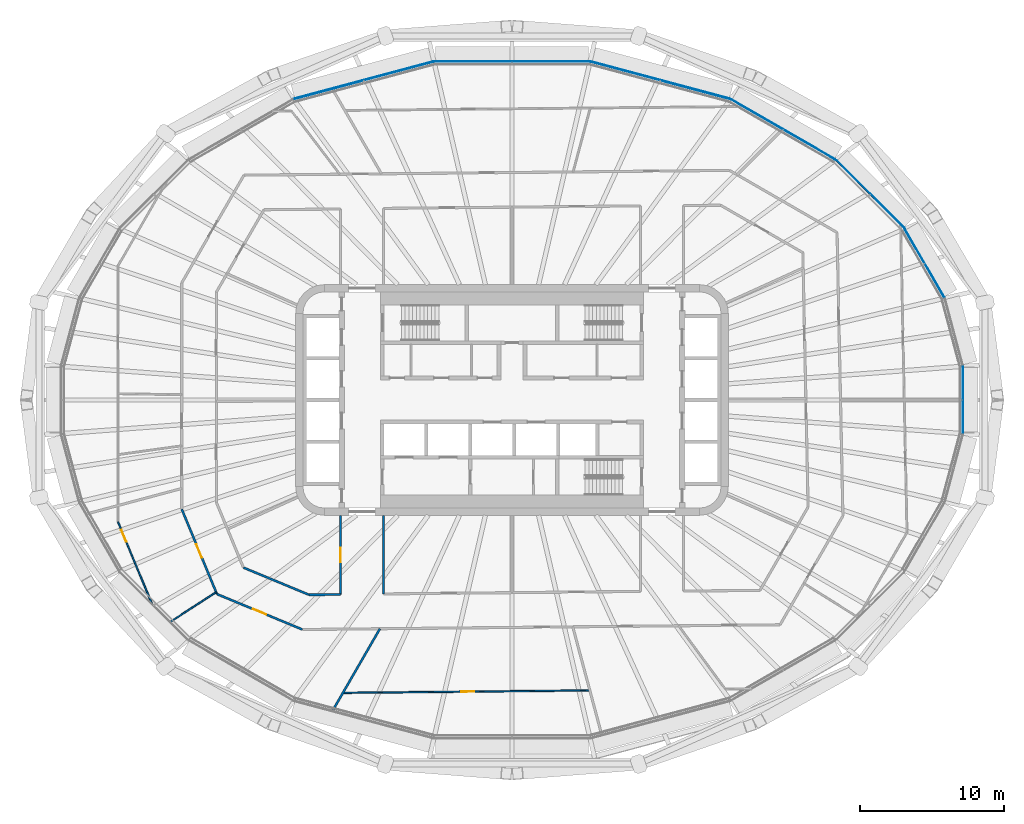
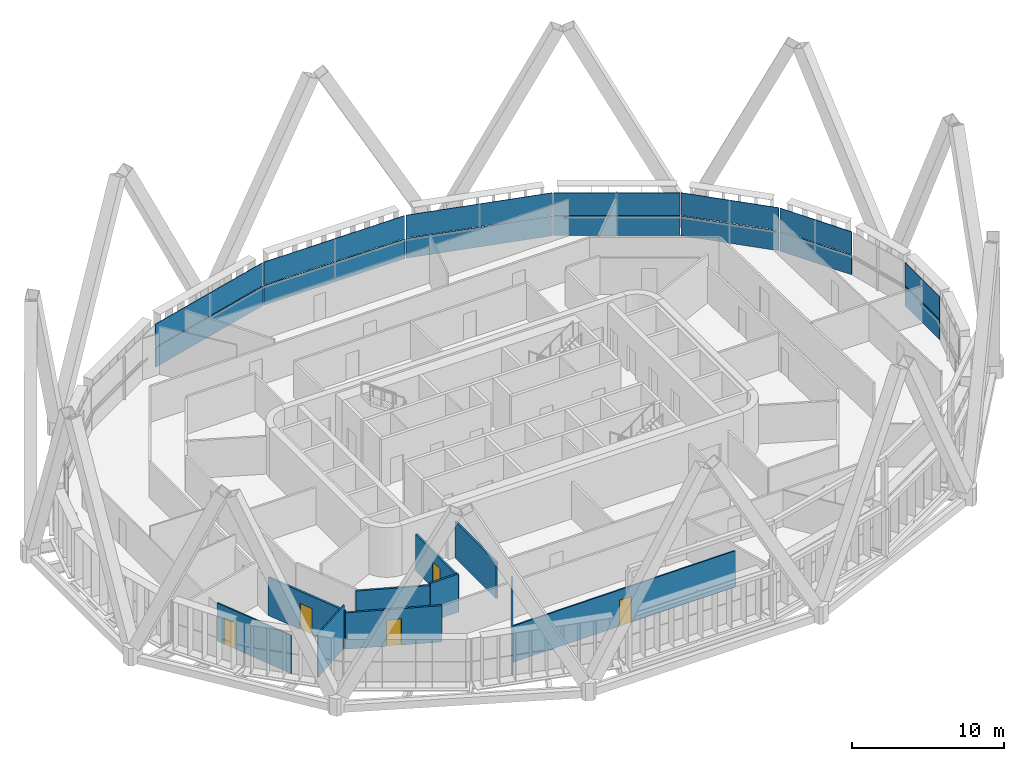
# One storey, part 13 of 25: 14 plates, 10 walls, 5 doors, 5 openings, 7 elements without a shape of their own.
"""IFC4 building model written with IfcOpenShell, lengths in metres."""

from ifc_helpers import new_model, si_unit, direction, frame, frame_2d, origin, place, context, subcontext, project, spatial, polyline, rectangle, outline, extrude, material, layer, layer_set, type_object, element, fill, aggregate, save


model = new_model("IFC4")

# Units and contexts
model_context = context("Model", 3, precision=1e-05, world=origin(), true_north=direction((0.0, 1.0)))
body_context = subcontext(model_context, "Body", "Model", "MODEL_VIEW")
ifc_project = project(units=[si_unit("LENGTHUNIT", "METRE"), si_unit("AREAUNIT", "SQUARE_METRE"), si_unit("VOLUMEUNIT", "CUBIC_METRE"), si_unit("PLANEANGLEUNIT", "RADIAN"), si_unit("MASSUNIT", "GRAM", prefix="KILO")], contexts=[model_context])

# Site, building, storey
site_placement = place(None, origin())
site = spatial("IfcSite", under=ifc_project, at=site_placement, CompositionType="ELEMENT")
building_placement = place(site_placement, origin())
building = spatial("IfcBuilding", under=site, at=building_placement, Name="Sahrelin Media Tower", CompositionType="ELEMENT")
storey_placement = place(building_placement, frame((0.0, 0.0, 165.60009765625)))
storey = spatial("IfcBuildingStorey", under=building, at=storey_placement, Name="L34", CompositionType="ELEMENT", Elevation=165.60009765625)

# Curtain wall, plate
ifc_material_1 = material(Name="Champagne anodised aluminium 6063-T6", Category="aluminium")
ifc_layer_1 = layer(ifc_material_1, 0.14990234375)
ifc_layer_set_1 = layer_set([ifc_layer_1], Name="Tower ribbon curtain wall")
curtain_wall_type = type_object("IfcCurtainWallType", Name="Tower ribbon curtain wall", PredefinedType="NOTDEFINED", material=ifc_layer_set_1)
curtain_wall_1_placement = place(storey_placement, frame((31.2841796875, 0.0, 0.0), z_axis=(0.0, 0.0, 1.0), x_axis=(1.0, 0.0, 0.0)))
curtain_wall_1 = element("IfcCurtainWall", 1, at=curtain_wall_1_placement, inside=storey, type_object=curtain_wall_type, Name="L34:CW:L34-00", PredefinedType="NOTDEFINED")
ifc_material_2 = material(Name="Clear low-iron glazing", Category="glass")
ifc_layer_2 = layer(ifc_material_2, 0.0439453125)
ifc_layer_set_2 = layer_set([ifc_layer_2], Name="Glazing panel 44 mm CW1B")
plate_type_1 = type_object("IfcPlateType", Name="Glazing panel 44 mm CW1B", PredefinedType="CURTAIN_PANEL", material=ifc_layer_set_2)
plate_1_placement = place(storey_placement, frame((31.30419921875, -2.28759765625, 1.6298828125), z_axis=(1.0, 0.0, 0.0), x_axis=(0.0, 1.0, 0.0)))
plate_1 = element("IfcPlate", 2, at=plate_1_placement, type_object=plate_type_1, Name="L34:CWP2:L34-00", PredefinedType="CURTAIN_PANEL", context=body_context, shape_type="SweptSolid", body=[
    extrude(outline(polyline([(0.0, 0.0), (4.5751953125, 0.0), (4.5751953125, 1.818603515625), (0.0, 1.818603515625), (0.0, 0.0)])), origin(), (0.0, 0.0, -1.0), 0.0439453125),
])

curtain_wall_2_placement = place(storey_placement, frame((28.6279296875, 9.4697265625, 0.0), z_axis=(0.0, 0.0, 1.0), x_axis=(1.0, 0.0, 0.0)))
curtain_wall_2 = element("IfcCurtainWall", 3, at=curtain_wall_2_placement, inside=storey, type_object=curtain_wall_type, Name="L34:CW:L34-02", PredefinedType="NOTDEFINED")
plate_2_placement = place(storey_placement, frame((30.010986328125, 7.114013671875, 1.6298828125), z_axis=(0.866026336773, 0.499998384012, 0.0), x_axis=(-0.499998384012, 0.866026336773, 0.0)))
plate_2 = element("IfcPlate", 4, at=plate_2_placement, type_object=plate_type_1, Name="L34:CWP2:L34-02", PredefinedType="CURTAIN_PANEL", context=body_context, shape_type="SweptSolid", body=[
    extrude(outline(polyline([(0.0, 0.0), (5.46337890625, 0.0), (5.46337890625, 1.818603515625), (0.0, 1.818603515625), (0.0, 0.0)])), origin(), (0.0, 0.0, -1.0), 0.0439453125),
])

curtain_wall_3_placement = place(storey_placement, frame((24.847412109375, 14.268310546875, 0.0), z_axis=(0.0, 0.0, 1.0), x_axis=(1.0, 0.0, 0.0)))
curtain_wall_3 = element("IfcCurtainWall", 5, at=curtain_wall_3_placement, inside=storey, type_object=curtain_wall_type, Name="L34:CW:L34-03", PredefinedType="NOTDEFINED")
plate_3_placement = place(storey_placement, frame((27.2158203125, 11.92822265625, 1.6298828125), z_axis=(0.707106781187, 0.707106781187, 0.0), x_axis=(-0.707106781187, 0.707106781187, 0.0)))
plate_3 = element("IfcPlate", 6, at=plate_3_placement, type_object=plate_type_1, Name="L34:CWP2:L34-03", PredefinedType="CURTAIN_PANEL", context=body_context, shape_type="SweptSolid", body=[
    extrude(outline(polyline([(0.0, 0.0), (6.658447265625, 0.0), (6.658447265625, 1.818603515625), (0.0, 1.818603515625), (0.0, 0.0)])), origin(), (0.0, 0.0, -1.0), 0.0439453125),
])

curtain_wall_4_placement = place(storey_placement, frame((18.811279296875, 18.76318359375, 0.0), z_axis=(0.0, 0.0, 1.0), x_axis=(1.0, 0.0, 0.0)))
curtain_wall_4 = element("IfcCurtainWall", 7, at=curtain_wall_4_placement, inside=storey, type_object=curtain_wall_type, Name="L34:CW:L34-04", PredefinedType="NOTDEFINED")
plate_4_placement = place(storey_placement, frame((22.4248046875, 16.699951171875, 1.6298828125), z_axis=(0.500000939553, 0.866024861332, 0.0), x_axis=(-0.866024861332, 0.500000939553, 0.0)))
plate_4 = element("IfcPlate", 8, at=plate_4_placement, type_object=plate_type_1, Name="L34:CWP2:L34-04", PredefinedType="CURTAIN_PANEL", context=body_context, shape_type="SweptSolid", body=[
    extrude(outline(polyline([(0.0, 0.0), (8.322265625, 0.0), (8.322265625, 1.818603515625), (0.0, 1.818603515625), (0.0, 0.0)])), origin(), (0.0, 0.0, -1.0), 0.0439453125),
])

curtain_wall_5_placement = place(storey_placement, frame((10.29052734375, 22.1748046875, 0.0), z_axis=(0.0, 0.0, 1.0), x_axis=(1.0, 0.0, 0.0)))
curtain_wall_5 = element("IfcCurtainWall", 9, at=curtain_wall_5_placement, inside=storey, type_object=curtain_wall_type, Name="L34:CW:L34-05", PredefinedType="NOTDEFINED")
plate_5_placement = place(storey_placement, frame((15.12109375, 20.901123046875, 1.6298828125), z_axis=(0.258818325201, 0.965926019186, 0.0), x_axis=(-0.965926019186, 0.258818325201, 0.0)))
plate_5 = element("IfcPlate", 10, at=plate_5_placement, type_object=plate_type_1, Name="L34:CWP2:L34-05", PredefinedType="CURTAIN_PANEL", context=body_context, shape_type="SweptSolid", body=[
    extrude(outline(polyline([(0.0, 0.0), (9.9912109375, 0.0), (9.9912109375, 1.818603515625), (0.0, 1.818603515625), (0.0, 0.0)])), origin(), (0.0, 0.0, -1.0), 0.0439453125),
])

curtain_wall_6_placement = place(storey_placement, frame((0.0, 23.480712890625, 0.0), z_axis=(0.0, 0.0, 1.0), x_axis=(1.0, 0.0, 0.0)))
curtain_wall_6 = element("IfcCurtainWall", 11, at=curtain_wall_6_placement, inside=storey, type_object=curtain_wall_type, Name="L34:CW:L34-06", PredefinedType="NOTDEFINED")
plate_6_placement = place(storey_placement, frame((5.36669921875, 23.50048828125, 1.6298828125), z_axis=(0.0, 1.0, 0.0), x_axis=(-1.0, 0.0, 0.0)))
plate_6 = element("IfcPlate", 12, at=plate_6_placement, type_object=plate_type_1, Name="L34:CWP2:L34-06", PredefinedType="CURTAIN_PANEL", context=body_context, shape_type="SweptSolid", body=[
    extrude(outline(polyline([(0.0, 0.0), (10.7333984375, 0.0), (10.7333984375, 1.818603515625), (0.0, 1.818603515625), (0.0, 0.0)])), origin(), (0.0, 0.0, -1.0), 0.0439453125),
])

curtain_wall_7_placement = place(storey_placement, frame((-10.29052734375, 22.1748046875, 0.0), z_axis=(0.0, 0.0, 1.0), x_axis=(1.0, 0.0, 0.0)))
curtain_wall_7 = element("IfcCurtainWall", 13, at=curtain_wall_7_placement, inside=storey, type_object=curtain_wall_type, Name="L34:CW:L34-07", PredefinedType="NOTDEFINED")
plate_7_placement = place(storey_placement, frame((-5.47021484375, 23.487060546875, 1.6298828125), z_axis=(-0.258818325201, 0.965926019186, 0.0), x_axis=(-0.965926019186, -0.258818325201, 0.0)))
plate_7 = element("IfcPlate", 14, at=plate_7_placement, type_object=plate_type_1, Name="L34:CWP2:L34-07", PredefinedType="CURTAIN_PANEL", context=body_context, shape_type="SweptSolid", body=[
    extrude(outline(polyline([(0.0, 0.0), (9.9912109375, 0.0), (9.9912109375, 1.818603515625), (0.0, 1.818603515625), (0.0, 0.0)])), origin(), (0.0, 0.0, -1.0), 0.0439453125),
])

# Plate
ifc_material_3 = material(Name="Insulated spandrel panel")
ifc_layer_3 = layer(ifc_material_3, 0.06005859375)
ifc_layer_set_3 = layer_set([ifc_layer_3], Name="Spandrel panel 60 mm CW1")
plate_type_2 = type_object("IfcPlateType", Name="Spandrel panel 60 mm CW1", PredefinedType="SHEET", material=ifc_layer_set_3)
plate_8_placement = place(storey_placement, frame((31.30419921875, -2.28759765625, 0.0), z_axis=(1.0, 0.0, 0.0), x_axis=(0.0, 1.0, 0.0)))
plate_8 = element("IfcPlate", 15, at=plate_8_placement, type_object=plate_type_2, Name="L34:CWP1:L34-00", PredefinedType="SHEET", context=body_context, shape_type="SweptSolid", body=[
    extrude(outline(polyline([(0.0, 0.0), (4.5751953125, 0.0), (4.5751953125, 1.56982421875), (0.0, 1.56982421875), (0.0, 0.0)])), origin(), (0.0, 0.0, -1.0), 0.06005859375),
])

aggregate(curtain_wall_1, [plate_8, plate_1])

plate_9_placement = place(storey_placement, frame((30.010986328125, 7.114013671875, 0.0), z_axis=(0.866026336773, 0.499998384012, 0.0), x_axis=(-0.499998384012, 0.866026336773, 0.0)))
plate_9 = element("IfcPlate", 16, at=plate_9_placement, type_object=plate_type_2, Name="L34:CWP1:L34-02", PredefinedType="SHEET", context=body_context, shape_type="SweptSolid", body=[
    extrude(outline(polyline([(0.0, 0.0), (5.46337890625, 0.0), (5.46337890625, 1.56982421875), (0.0, 1.56982421875), (0.0, 0.0)])), origin(), (0.0, 0.0, -1.0), 0.06005859375),
])

aggregate(curtain_wall_2, [plate_9, plate_2])

plate_10_placement = place(storey_placement, frame((27.2158203125, 11.92822265625, 0.0), z_axis=(0.707106781187, 0.707106781187, 0.0), x_axis=(-0.707106781187, 0.707106781187, 0.0)))
plate_10 = element("IfcPlate", 17, at=plate_10_placement, type_object=plate_type_2, Name="L34:CWP1:L34-03", PredefinedType="SHEET", context=body_context, shape_type="SweptSolid", body=[
    extrude(outline(polyline([(0.0, 0.0), (6.658447265625, 0.0), (6.658447265625, 1.56982421875), (0.0, 1.56982421875), (0.0, 0.0)])), origin(), (0.0, 0.0, -1.0), 0.06005859375),
])

aggregate(curtain_wall_3, [plate_10, plate_3])

plate_11_placement = place(storey_placement, frame((22.4248046875, 16.699951171875, 0.0), z_axis=(0.500000939553, 0.866024861332, 0.0), x_axis=(-0.866024861332, 0.500000939553, 0.0)))
plate_11 = element("IfcPlate", 18, at=plate_11_placement, type_object=plate_type_2, Name="L34:CWP1:L34-04", PredefinedType="SHEET", context=body_context, shape_type="SweptSolid", body=[
    extrude(outline(polyline([(0.0, 0.0), (8.322265625, 0.0), (8.322265625, 1.56982421875), (0.0, 1.56982421875), (0.0, 0.0)])), origin(), (0.0, 0.0, -1.0), 0.06005859375),
])

aggregate(curtain_wall_4, [plate_11, plate_4])

plate_12_placement = place(storey_placement, frame((15.12109375, 20.901123046875, 0.0), z_axis=(0.258818325201, 0.965926019186, 0.0), x_axis=(-0.965926019186, 0.258818325201, 0.0)))
plate_12 = element("IfcPlate", 19, at=plate_12_placement, type_object=plate_type_2, Name="L34:CWP1:L34-05", PredefinedType="SHEET", context=body_context, shape_type="SweptSolid", body=[
    extrude(outline(polyline([(0.0, 0.0), (9.9912109375, 0.0), (9.9912109375, 1.56982421875), (0.0, 1.56982421875), (0.0, 0.0)])), origin(), (0.0, 0.0, -1.0), 0.06005859375),
])

aggregate(curtain_wall_5, [plate_12, plate_5])

plate_13_placement = place(storey_placement, frame((5.36669921875, 23.50048828125, 0.0), z_axis=(0.0, 1.0, 0.0), x_axis=(-1.0, 0.0, 0.0)))
plate_13 = element("IfcPlate", 20, at=plate_13_placement, type_object=plate_type_2, Name="L34:CWP1:L34-06", PredefinedType="SHEET", context=body_context, shape_type="SweptSolid", body=[
    extrude(outline(polyline([(0.0, 0.0), (10.7333984375, 0.0), (10.7333984375, 1.56982421875), (0.0, 1.56982421875), (0.0, 0.0)])), origin(), (0.0, 0.0, -1.0), 0.06005859375),
])

aggregate(curtain_wall_6, [plate_13, plate_6])

plate_14_placement = place(storey_placement, frame((-5.47021484375, 23.487060546875, 0.0), z_axis=(-0.258818325201, 0.965926019186, 0.0), x_axis=(-0.965926019186, -0.258818325201, 0.0)))
plate_14 = element("IfcPlate", 21, at=plate_14_placement, type_object=plate_type_2, Name="L34:CWP1:L34-07", PredefinedType="SHEET", context=body_context, shape_type="SweptSolid", body=[
    extrude(outline(polyline([(0.0, 0.0), (9.9912109375, 0.0), (9.9912109375, 1.56982421875), (0.0, 1.56982421875), (0.0, 0.0)])), origin(), (0.0, 0.0, -1.0), 0.06005859375),
])

aggregate(curtain_wall_7, [plate_14, plate_7])

# Wall, opening, door
ifc_material_4 = material(Name="Fire-rated gypsum board partition")
ifc_layer_4 = layer(ifc_material_4, 0.14990234375)
ifc_layer_set_4 = layer_set([ifc_layer_4], Name="Fire-rated partition 150")
wall_type_1 = type_object("IfcWallType", Name="Fire-rated partition 150", PredefinedType="PARTITIONING", material=ifc_layer_set_4)
wall_1_placement = place(storey_placement, frame((-22.89990234375, -7.572021484375, 0.0), z_axis=(0.0, 0.0, 1.0), x_axis=(0.382860357704, -0.923806227788, 0.0)))
wall_1 = element("IfcWall", 22, at=wall_1_placement, inside=storey, type_object=wall_type_1, Name="Wall", PredefinedType="PARTITIONING", context=body_context, shape_type="SweptSolid", body=[
    extrude(rectangle(XDim=6.37353515625, YDim=0.14990234375, at=frame_2d((3.186767578125, 0.0))), origin(), (0.0, 0.0, 1.0), 3.075927734375),
])
opening_1_placement = place(wall_1_placement, frame((2.63818359375, 0.0, 0.0)))
opening_1 = element("IfcOpeningElement", 23, at=opening_1_placement, cuts=wall_1, Name="Opening L34-D39", PredefinedType="OPENING", context=body_context, shape_type="SweptSolid", body=[
    extrude(rectangle(XDim=1.0, YDim=2.10009765625, at=frame_2d((0.5, 1.050048828125))), frame((0.0, 0.074951171875, 0.0), z_axis=(0.0, -1.0, 0.0), x_axis=(1.0, 0.0, 0.0)), (0.0, 0.0, 1.0), 0.14990234375),
])
ifc_material_5 = material(Name="Steel fire door leaf", Category="steel")
door_type_1 = type_object("IfcDoorType", Name="Fire door 1000 x 2100 EI 60", OperationType="NOTDEFINED", PredefinedType="DOOR", material=ifc_material_5)
door_1_placement = place(opening_1_placement, origin())
door_1 = element("IfcDoor", 24, at=door_1_placement, inside=storey, type_object=door_type_1, Name="Fire door", OperationType="SINGLE_SWING_LEFT", OverallHeight=2.10009765625, OverallWidth=1.0, PredefinedType="DOOR", context=body_context, shape_type="SweptSolid", body=[
    extrude(rectangle(XDim=1.0, YDim=2.10009765625, at=frame_2d((0.5, 1.050048828125))), frame((0.0, 0.02490234375, 0.0), z_axis=(0.0, -1.0, 0.0), x_axis=(1.0, 0.0, 0.0)), (0.0, 0.0, 1.0), 0.050048828125),
])
fill(opening_1, door_1)

wall_2_placement = place(storey_placement, frame((-20.4599609375, -13.4599609375, 0.0), z_axis=(0.0, 0.0, 1.0), x_axis=(0.923801547606, -0.382871650349, 0.0)))
wall_2 = element("IfcWall", 25, at=wall_2_placement, inside=storey, type_object=wall_type_1, Name="Wall", PredefinedType="PARTITIONING", context=body_context, shape_type="SweptSolid", body=[
    extrude(rectangle(XDim=6.414794921875, YDim=0.14990234375, at=frame_2d((3.20751953125, 0.0))), origin(), (0.0, 0.0, 1.0), 2.927001953125),
])
opening_2_placement = place(wall_2_placement, frame((2.70703125, 0.0, 0.0)))
opening_2 = element("IfcOpeningElement", 26, at=opening_2_placement, cuts=wall_2, Name="Opening L34-D40", PredefinedType="OPENING", context=body_context, shape_type="SweptSolid", body=[
    extrude(rectangle(XDim=1.0, YDim=2.10009765625, at=frame_2d((0.5, 1.050048828125))), frame((0.0, 0.074951171875, 0.0), z_axis=(0.0, -1.0, 0.0), x_axis=(1.0, 0.0, 0.0)), (0.0, 0.0, 1.0), 0.14990234375),
])
door_2_placement = place(opening_2_placement, origin())
door_2 = element("IfcDoor", 27, at=door_2_placement, inside=storey, type_object=door_type_1, Name="Fire door", OperationType="SINGLE_SWING_LEFT", OverallHeight=2.10009765625, OverallWidth=1.0, PredefinedType="DOOR", context=body_context, shape_type="SweptSolid", body=[
    extrude(rectangle(XDim=1.0, YDim=2.10009765625, at=frame_2d((0.5, 1.050048828125))), frame((0.0, 0.02490234375, 0.0), z_axis=(0.0, -1.0, 0.0), x_axis=(1.0, 0.0, 0.0)), (0.0, 0.0, 1.0), 0.050048828125),
])
fill(opening_2, door_2)

# Walls
wall_3_placement = place(storey_placement, frame((-18.623046875, -11.623046875, 0.0), z_axis=(0.0, 0.0, 1.0), x_axis=(0.923791670587, -0.38289548098, 0.0)))
element("IfcWall", 28, at=wall_3_placement, inside=storey, type_object=wall_type_1, Name="Wall", PredefinedType="PARTITIONING", context=body_context, shape_type="SweptSolid", body=[
    extrude(rectangle(XDim=4.9306640625, YDim=0.14990234375, at=frame_2d((2.46533203125, 0.0))), origin(), (0.0, 0.0, 1.0), 2.927001953125),
])
wall_4_placement = place(storey_placement, frame((-14.068115234375, -13.510986328125, 0.0), z_axis=(0.0, 0.0, 1.0), x_axis=(0.999950911515, 0.009908307647, 0.0)))
element("IfcWall", 29, at=wall_4_placement, inside=storey, type_object=wall_type_1, Name="Wall", PredefinedType="PARTITIONING", context=body_context, shape_type="SweptSolid", body=[
    extrude(rectangle(XDim=2.168212890625, YDim=0.14990234375, at=frame_2d((1.083984375, 0.0))), origin(), (0.0, 0.0, 1.0), 3.075927734375),
])
wall_5_placement = place(storey_placement, frame((-12.466064453125, -21.592041015625, 0.0), z_axis=(0.0, 0.0, 1.0), x_axis=(0.500008890998, 0.866020270503, 0.0)))
element("IfcWall", 30, at=wall_5_placement, inside=storey, type_object=wall_type_1, Name="Wall", PredefinedType="PARTITIONING", context=body_context, shape_type="SweptSolid", body=[
    extrude(rectangle(XDim=6.61572265625, YDim=0.14990234375, at=frame_2d((3.307861328125, 0.0))), origin(), (0.0, 0.0, 1.0), 3.301513671875),
])
wall_6_placement = place(storey_placement, frame((-8.89990234375, -13.448974609375, 0.0), z_axis=(0.0, 0.0, 1.0), x_axis=(0.0, 1.0, 0.0)))
element("IfcWall", 31, at=wall_6_placement, inside=storey, type_object=wall_type_1, Name="Wall", PredefinedType="PARTITIONING", context=body_context, shape_type="SweptSolid", body=[
    extrude(rectangle(XDim=5.448974609375, YDim=0.14990234375, at=frame_2d((2.724609375, 0.0))), origin(), (0.0, 0.0, 1.0), 2.927001953125),
])

# Wall, opening, door
wall_7_placement = place(storey_placement, frame((-11.89990234375, -13.489990234375, 0.0), z_axis=(0.0, 0.0, 1.0), x_axis=(0.0, 1.0, 0.0)))
wall_7 = element("IfcWall", 32, at=wall_7_placement, inside=storey, type_object=wall_type_1, Name="Wall", PredefinedType="PARTITIONING", context=body_context, shape_type="SweptSolid", body=[
    extrude(rectangle(XDim=5.489990234375, YDim=0.14990234375, at=frame_2d((2.7451171875, 0.0))), origin(), (0.0, 0.0, 1.0), 2.927001953125),
])
opening_3_placement = place(wall_7_placement, frame((2.2451171875, 0.0, 0.0)))
opening_3 = element("IfcOpeningElement", 33, at=opening_3_placement, cuts=wall_7, Name="Opening L34-D33", PredefinedType="OPENING", context=body_context, shape_type="SweptSolid", body=[
    extrude(rectangle(XDim=1.0, YDim=2.10009765625, at=frame_2d((0.5, 1.050048828125))), frame((0.0, 0.074951171875, 0.0), z_axis=(0.0, -1.0, 0.0), x_axis=(1.0, 0.0, 0.0)), (0.0, 0.0, 1.0), 0.14990234375),
])
door_3_placement = place(opening_3_placement, origin())
door_3 = element("IfcDoor", 34, at=door_3_placement, inside=storey, type_object=door_type_1, Name="Fire door", OperationType="SINGLE_SWING_LEFT", OverallHeight=2.10009765625, OverallWidth=1.0, PredefinedType="DOOR", context=body_context, shape_type="SweptSolid", body=[
    extrude(rectangle(XDim=1.0, YDim=2.10009765625, at=frame_2d((0.5, 1.050048828125))), frame((0.0, 0.02490234375, 0.0), z_axis=(0.0, -1.0, 0.0), x_axis=(1.0, 0.0, 0.0)), (0.0, 0.0, 1.0), 0.050048828125),
])
fill(opening_3, door_3)

ifc_material_6 = material(Name="Gypsum board partition")
ifc_layer_5 = layer(ifc_material_6, 0.10009765625)
ifc_layer_set_5 = layer_set([ifc_layer_5], Name="Partition 100")
wall_type_2 = type_object("IfcWallType", Name="Partition 100", PredefinedType="PARTITIONING", material=ifc_layer_set_5)
wall_8_placement = place(storey_placement, frame((-27.320068359375, -8.451904296875, 0.0), z_axis=(0.0, 0.0, 1.0), x_axis=(0.382783190585, -0.923838204993, 0.0)))
wall_8 = element("IfcWall", 35, at=wall_8_placement, inside=storey, type_object=wall_type_2, Name="Wall", PredefinedType="PARTITIONING", context=body_context, shape_type="SweptSolid", body=[
    extrude(rectangle(XDim=6.180908203125, YDim=0.10009765625, at=frame_2d((3.09033203125, 0.0))), origin(), (0.0, 0.0, 1.0), 3.075927734375),
])
opening_4_placement = place(wall_8_placement, frame((0.60009765625, 0.0, 0.0)))
opening_4 = element("IfcOpeningElement", 36, at=opening_4_placement, cuts=wall_8, Name="Opening L34-D41", PredefinedType="OPENING", context=body_context, shape_type="SweptSolid", body=[
    extrude(rectangle(XDim=0.89990234375, YDim=2.10009765625, at=frame_2d((0.449951171875, 1.050048828125))), frame((0.0, 0.050048828125, 0.0), z_axis=(0.0, -1.0, 0.0), x_axis=(1.0, 0.0, 0.0)), (0.0, 0.0, 1.0), 0.10009765625),
])
ifc_material_7 = material(Name="Timber door leaf", Category="wood")
door_type_2 = type_object("IfcDoorType", Name="Single door 900 x 2100", OperationType="NOTDEFINED", PredefinedType="DOOR", material=ifc_material_7)
door_4_placement = place(opening_4_placement, origin())
door_4 = element("IfcDoor", 37, at=door_4_placement, inside=storey, type_object=door_type_2, Name="Single door", OperationType="SINGLE_SWING_RIGHT", OverallHeight=2.10009765625, OverallWidth=0.89990234375, PredefinedType="DOOR", context=body_context, shape_type="SweptSolid", body=[
    extrude(rectangle(XDim=0.89990234375, YDim=2.10009765625, at=frame_2d((0.449951171875, 1.050048828125))), frame((0.0, 0.02490234375, 0.0), z_axis=(0.0, -1.0, 0.0), x_axis=(1.0, 0.0, 0.0)), (0.0, 0.0, 1.0), 0.050048828125),
])
fill(opening_4, door_4)

wall_9_placement = place(storey_placement, frame((-11.72509765625, -20.30908203125, 0.0), z_axis=(0.0, 0.0, 1.0), x_axis=(0.999951318094, 0.009867190168, 0.0)))
wall_9 = element("IfcWall", 38, at=wall_9_placement, inside=storey, type_object=wall_type_2, Name="Wall", PredefinedType="PARTITIONING", context=body_context, shape_type="SweptSolid", body=[
    extrude(rectangle(XDim=17.121826171875, YDim=0.10009765625, at=frame_2d((8.56103515625, 0.0))), origin(), (0.0, 0.0, 1.0), 2.927001953125),
])
opening_5_placement = place(wall_9_placement, frame((8.209716796875, 0.0, 0.0)))
opening_5 = element("IfcOpeningElement", 39, at=opening_5_placement, cuts=wall_9, Name="Opening L34-D43", PredefinedType="OPENING", context=body_context, shape_type="SweptSolid", body=[
    extrude(rectangle(XDim=0.89990234375, YDim=2.10009765625, at=frame_2d((0.449951171875, 1.050048828125))), frame((0.0, 0.050048828125, 0.0), z_axis=(0.0, -1.0, 0.0), x_axis=(1.0, 0.0, 0.0)), (0.0, 0.0, 1.0), 0.10009765625),
])
door_5_placement = place(opening_5_placement, origin())
door_5 = element("IfcDoor", 40, at=door_5_placement, inside=storey, type_object=door_type_2, Name="Single door", OperationType="SINGLE_SWING_LEFT", OverallHeight=2.10009765625, OverallWidth=0.89990234375, PredefinedType="DOOR", context=body_context, shape_type="SweptSolid", body=[
    extrude(rectangle(XDim=0.89990234375, YDim=2.10009765625, at=frame_2d((0.449951171875, 1.050048828125))), frame((0.0, 0.02490234375, 0.0), z_axis=(0.0, -1.0, 0.0), x_axis=(1.0, 0.0, 0.0)), (0.0, 0.0, 1.0), 0.050048828125),
])
fill(opening_5, door_5)

# Wall
wall_10_placement = place(storey_placement, frame((-23.715087890625, -15.40087890625, 0.0), z_axis=(0.0, 0.0, 1.0), x_axis=(0.838658579265, 0.544657495519, 0.0)))
element("IfcWall", 41, at=wall_10_placement, inside=storey, type_object=wall_type_2, Name="Wall", PredefinedType="PARTITIONING", context=body_context, shape_type="SweptSolid", body=[
    extrude(rectangle(XDim=3.813232421875, YDim=0.10009765625, at=frame_2d((1.90673828125, 0.0))), origin(), (0.0, 0.0, 1.0), 3.474853515625),
])

save(model, "model.ifc")
